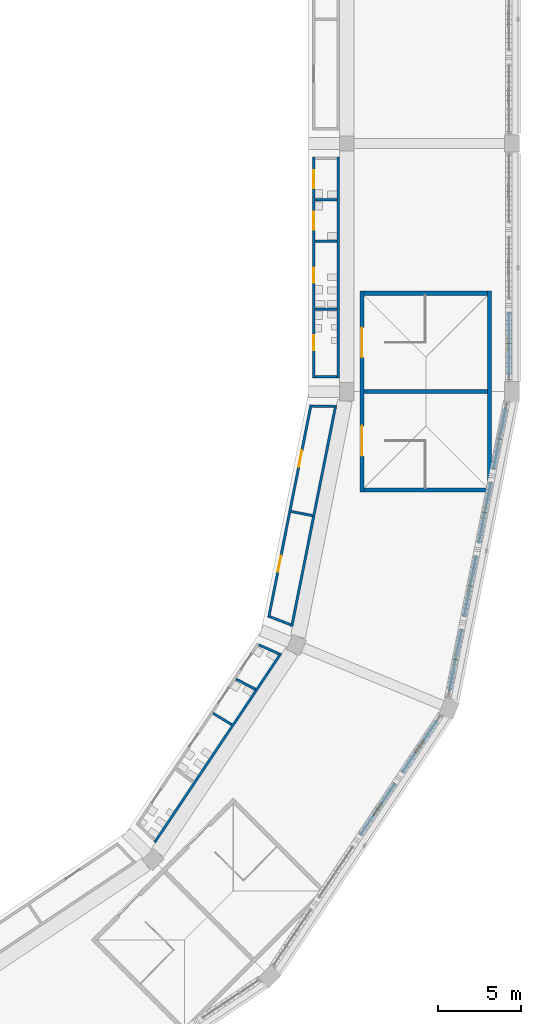
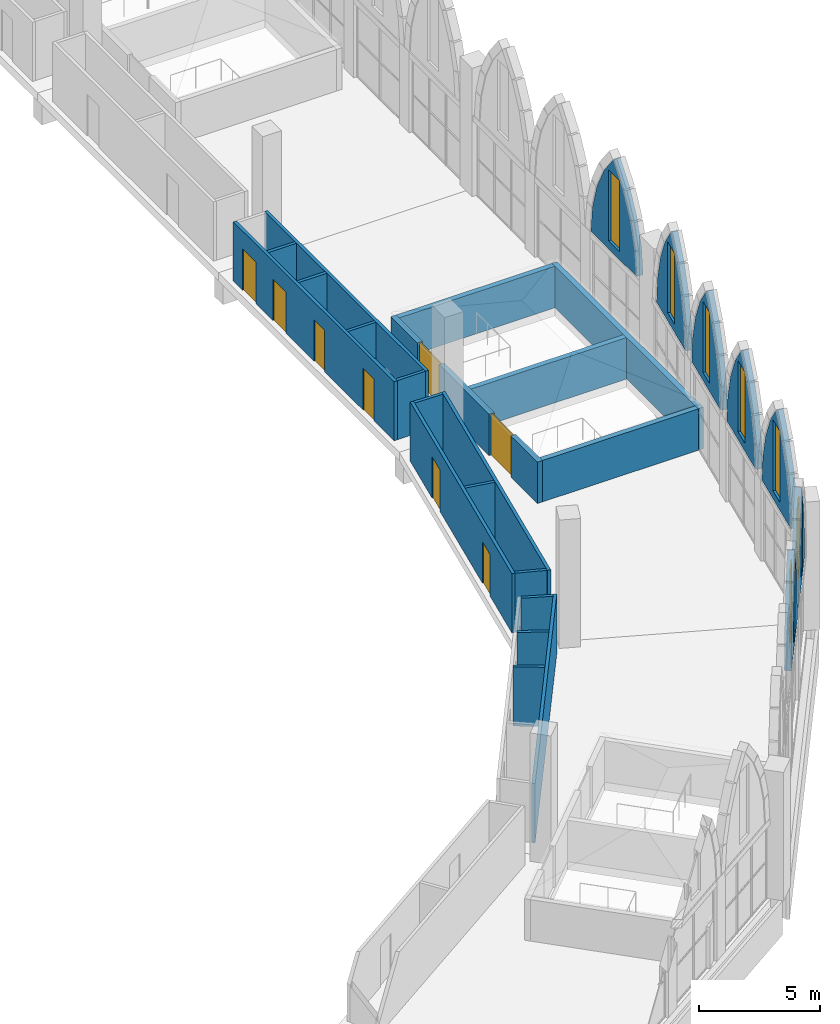
# One storey, part 73 of 130: 27 walls, 8 doors, 7 windows, 15 openings.
"""IFC4 building model written with IfcOpenShell, lengths in metres."""

from ifc_helpers import new_model, si_unit, direction, frame, frame_2d, origin, place, context, subcontext, project, spatial, polyline, rectangle, outline, extrude, material, layer, layer_set, type_object, element, fill, save


model = new_model("IFC4")

# Units and contexts
model_context = context("Model", 3, precision=1e-05, world=origin(), true_north=direction((0.0, 1.0)))
body_context = subcontext(model_context, "Body", "Model", "MODEL_VIEW")
ifc_project = project(units=[si_unit("LENGTHUNIT", "METRE"), si_unit("AREAUNIT", "SQUARE_METRE"), si_unit("VOLUMEUNIT", "CUBIC_METRE"), si_unit("PLANEANGLEUNIT", "RADIAN"), si_unit("MASSUNIT", "GRAM", prefix="KILO")], contexts=[model_context])

# Site, building, storey
site_placement = place(None, origin())
site = spatial("IfcSite", under=ifc_project, at=site_placement, CompositionType="ELEMENT")
building_placement = place(site_placement, origin())
building = spatial("IfcBuilding", under=site, at=building_placement, Name="Ogive Plaza Stadium", CompositionType="ELEMENT")
storey_placement = place(building_placement, frame((0.0, 0.0, 22.5)))
storey = spatial("IfcBuildingStorey", under=building, at=storey_placement, Name="L05", CompositionType="ELEMENT", Elevation=22.5)

# Wall, openings, doors
ifc_material_1 = material(Name="Masonry blockwork", Category="masonry")
ifc_layer_1 = layer(ifc_material_1, 0.14990234375)
ifc_layer_set_1 = layer_set([ifc_layer_1], Name="Blockwork wall 150")
wall_type_1 = type_object("IfcWallType", Name="Blockwork wall 150", PredefinedType="SOLIDWALL", material=ifc_layer_set_1)
wall_1_placement = place(storey_placement, frame((71.84228515625, -53.29345703125, 0.0), z_axis=(0.0, 0.0, 1.0), x_axis=(-0.195095631841, -0.980784224198, 0.0)))
wall_1 = element("IfcWall", 1, at=wall_1_placement, inside=storey, type_object=wall_type_1, Name="Wall L05 B08", PredefinedType="SOLIDWALL", context=body_context, shape_type="SweptSolid", body=[
    extrude(rectangle(XDim=13.11328125, YDim=0.14990234375, at=frame_2d((6.556640625, 0.0))), origin(), (0.0, 0.0, 1.0), 3.0),
])
opening_1_placement = place(wall_1_placement, frame((2.81494140625, 0.0, 0.0)))
opening_1 = element("IfcOpeningElement", 2, at=opening_1_placement, cuts=wall_1, Name="Opening D0939", PredefinedType="OPENING", context=body_context, shape_type="SweptSolid", body=[
    extrude(rectangle(XDim=1.0, YDim=2.10009765625, at=frame_2d((0.5, 1.050048828125))), frame((0.0, 0.074951171875, 0.0), z_axis=(0.0, -1.0, 0.0), x_axis=(1.0, 0.0, 0.0)), (0.0, 0.0, 1.0), 0.14990234375),
])
opening_2_placement = place(wall_1_placement, frame((9.298095703125, 0.0, 0.0)))
opening_2 = element("IfcOpeningElement", 3, at=opening_2_placement, cuts=wall_1, Name="Opening D0940", PredefinedType="OPENING", context=body_context, shape_type="SweptSolid", body=[
    extrude(rectangle(XDim=1.0, YDim=2.10009765625, at=frame_2d((0.5, 1.050048828125))), frame((0.0, 0.074951171875, 0.0), z_axis=(0.0, -1.0, 0.0), x_axis=(1.0, 0.0, 0.0)), (0.0, 0.0, 1.0), 0.14990234375),
])
ifc_material_2 = material(Name="Steel ASTM A572 Grade 50", Category="steel")
door_type_1 = type_object("IfcDoorType", Name="Door 1000 x 2100", OperationType="SINGLE_SWING_LEFT", PredefinedType="DOOR", material=ifc_material_2)
door_1_placement = place(opening_1_placement, origin())
door_1 = element("IfcDoor", 4, at=door_1_placement, inside=storey, type_object=door_type_1, Name="Concession Stand B08 door", OperationType="SINGLE_SWING_LEFT", OverallHeight=2.10009765625, OverallWidth=1.0, PredefinedType="DOOR", context=body_context, shape_type="SweptSolid", body=[
    extrude(rectangle(XDim=1.0, YDim=2.10009765625, at=frame_2d((0.5, 1.050048828125))), frame((0.0, 0.02490234375, 0.0), z_axis=(0.0, -1.0, 0.0), x_axis=(1.0, 0.0, 0.0)), (0.0, 0.0, 1.0), 0.050048828125),
])
fill(opening_1, door_1)
door_2_placement = place(opening_2_placement, origin())
door_2 = element("IfcDoor", 5, at=door_2_placement, inside=storey, type_object=door_type_1, Name="Concession Stand B08 door", OperationType="SINGLE_SWING_RIGHT", OverallHeight=2.10009765625, OverallWidth=1.0, PredefinedType="DOOR", context=body_context, shape_type="SweptSolid", body=[
    extrude(rectangle(XDim=1.0, YDim=2.10009765625, at=frame_2d((0.5, 1.050048828125))), frame((0.0, 0.02490234375, 0.0), z_axis=(0.0, -1.0, 0.0), x_axis=(1.0, 0.0, 0.0)), (0.0, 0.0, 1.0), 0.050048828125),
])
fill(opening_2, door_2)

# Walls
wall_2_placement = place(storey_placement, frame((73.3359375, -53.32470703125, 0.0), z_axis=(0.0, 0.0, 1.0), x_axis=(-0.195086146928, -0.980786110871, 0.0)))
element("IfcWall", 6, at=wall_2_placement, inside=storey, type_object=wall_type_1, Name="Wall L05 B08", PredefinedType="SOLIDWALL", context=body_context, shape_type="SweptSolid", body=[
    extrude(rectangle(XDim=13.630859375, YDim=0.14990234375, at=frame_2d((6.8154296875, 0.0))), origin(), (0.0, 0.0, 1.0), 3.0),
])
wall_3_placement = place(storey_placement, frame((71.902587890625, -53.367431640625, 0.0), z_axis=(0.0, 0.0, 1.0), x_axis=(0.999738070999, -0.022886445666, 0.0)))
element("IfcWall", 7, at=wall_3_placement, inside=storey, type_object=wall_type_1, Name="Wall L05 B08", PredefinedType="SOLIDWALL", context=body_context, shape_type="SweptSolid", body=[
    extrude(rectangle(XDim=1.343994140625, YDim=0.14990234375, at=frame_2d((0.671875, 0.0))), origin(), (0.0, 0.0, 1.0), 3.0),
])
wall_4_placement = place(storey_placement, frame((70.63525390625, -59.73828125, 0.0), z_axis=(0.0, 0.0, 1.0), x_axis=(0.981038980953, -0.193810520485, 0.0)))
element("IfcWall", 8, at=wall_4_placement, inside=storey, type_object=wall_type_1, Name="Wall L05 B08", PredefinedType="SOLIDWALL", context=body_context, shape_type="SweptSolid", body=[
    extrude(rectangle(XDim=1.323974609375, YDim=0.14990234375, at=frame_2d((0.662109375, 0.0))), origin(), (0.0, 0.0, 1.0), 3.0),
])
wall_5_placement = place(storey_placement, frame((69.367919921875, -66.109375, 0.0), z_axis=(0.0, 0.0, 1.0), x_axis=(0.933331557443, -0.359015603953, 0.0)))
element("IfcWall", 9, at=wall_5_placement, inside=storey, type_object=wall_type_1, Name="Wall L05 B08", PredefinedType="SOLIDWALL", context=body_context, shape_type="SweptSolid", body=[
    extrude(rectangle(XDim=1.34375, YDim=0.14990234375, at=frame_2d((0.671875, 0.0))), origin(), (0.0, 0.0, 1.0), 3.0),
])

# Wall, openings, doors
ifc_material_3 = material(Name="Concrete C40/50", Category="concrete")
ifc_layer_2 = layer(ifc_material_3, 0.25)
ifc_layer_set_2 = layer_set([ifc_layer_2], Name="Concrete C40/50")
wall_type_2 = type_object("IfcWallType", Name="Core wall 250", PredefinedType="SHEAR", material=ifc_layer_set_2)
wall_6_placement = place(storey_placement, frame((74.925048828125, -58.574951171875, 0.0), z_axis=(0.0, 0.0, 1.0), x_axis=(0.0, 1.0, 0.0)))
wall_6 = element("IfcWall", 10, at=wall_6_placement, inside=storey, type_object=wall_type_2, Name="Stair core R08 inner wall", PredefinedType="SHEAR", context=body_context, shape_type="SweptSolid", body=[
    extrude(rectangle(XDim=12.14990234375, YDim=0.25, at=frame_2d((6.074951171875, 0.0))), origin(), (0.0, 0.0, 1.0), 2.10009765625),
])
opening_3_placement = place(wall_6_placement, frame((2.199951171875, 0.0, 0.0)))
opening_3 = element("IfcOpeningElement", 11, at=opening_3_placement, cuts=wall_6, Name="Opening D0091", PredefinedType="OPENING", context=body_context, shape_type="SweptSolid", body=[
    extrude(rectangle(XDim=1.800048828125, YDim=2.10009765625, at=frame_2d((0.89990234375, 1.050048828125))), frame((0.0, 0.125, 0.0), z_axis=(0.0, -1.0, 0.0), x_axis=(1.0, 0.0, 0.0)), (0.0, 0.0, 1.0), 0.25),
])
opening_4_placement = place(wall_6_placement, frame((8.14990234375, 0.0, 0.0)))
opening_4 = element("IfcOpeningElement", 12, at=opening_4_placement, cuts=wall_6, Name="Opening D0092", PredefinedType="OPENING", context=body_context, shape_type="SweptSolid", body=[
    extrude(rectangle(XDim=1.800048828125, YDim=2.10009765625, at=frame_2d((0.89990234375, 1.050048828125))), frame((0.0, 0.125, 0.0), z_axis=(0.0, -1.0, 0.0), x_axis=(1.0, 0.0, 0.0)), (0.0, 0.0, 1.0), 0.25),
])
ifc_material_4 = material(Name="Steel ASTM A572 Grade 50", Category="steel")
door_type_2 = type_object("IfcDoorType", Name="Fire door FD90 pair 1800 x 2100", OperationType="DOUBLE_DOOR_SINGLE_SWING", PredefinedType="DOOR", material=ifc_material_4)
door_3_placement = place(opening_3_placement, origin())
door_3 = element("IfcDoor", 13, at=door_3_placement, inside=storey, type_object=door_type_2, Name="Exit stair R08A door L05", OperationType="DOUBLE_DOOR_SINGLE_SWING", OverallHeight=2.10009765625, OverallWidth=1.800048828125, PredefinedType="DOOR", context=body_context, shape_type="SweptSolid", body=[
    extrude(rectangle(XDim=1.800048828125, YDim=2.10009765625, at=frame_2d((0.89990234375, 1.050048828125))), frame((0.0, 0.02490234375, 0.0), z_axis=(0.0, -1.0, 0.0), x_axis=(1.0, 0.0, 0.0)), (0.0, 0.0, 1.0), 0.050048828125),
])
fill(opening_3, door_3)
door_4_placement = place(opening_4_placement, origin())
door_4 = element("IfcDoor", 14, at=door_4_placement, inside=storey, type_object=door_type_2, Name="Exit stair R08B door L05", OperationType="DOUBLE_DOOR_SINGLE_SWING", OverallHeight=2.10009765625, OverallWidth=1.800048828125, PredefinedType="DOOR", context=body_context, shape_type="SweptSolid", body=[
    extrude(rectangle(XDim=1.800048828125, YDim=2.10009765625, at=frame_2d((0.89990234375, 1.050048828125))), frame((0.0, 0.02490234375, 0.0), z_axis=(0.0, -1.0, 0.0), x_axis=(1.0, 0.0, 0.0)), (0.0, 0.0, 1.0), 0.050048828125),
])
fill(opening_4, door_4)

# Walls
wall_7_placement = place(storey_placement, frame((82.635009765625, -58.574951171875, 0.0), z_axis=(0.0, 0.0, 1.0), x_axis=(0.0, 1.0, 0.0)))
element("IfcWall", 15, at=wall_7_placement, inside=storey, type_object=wall_type_2, Name="Stair core R08 outer wall", PredefinedType="SHEAR", context=body_context, shape_type="SweptSolid", body=[
    extrude(rectangle(XDim=12.14990234375, YDim=0.25, at=frame_2d((6.074951171875, 0.0))), origin(), (0.0, 0.0, 1.0), 2.10009765625),
])
for number, where, z_axis, x_axis, name in (
    (16, (75.050048828125, -58.449951171875, 0.0), (0.0, 0.0, 1.0), (1.0, 0.0, 0.0), "Stair core R08 side wall"),
    (17, (75.050048828125, -46.550048828125, 0.0), (0.0, 0.0, 1.0), (1.0, 0.0, 0.0), "Stair core R08 side wall"),
    (18, (75.050048828125, -52.5, 0.0), (0.0, 0.0, 1.0), (1.0, 0.0, 0.0), "Stair core R08 centre wall"),
):
    element("IfcWall", number, at=place(storey_placement, frame(where, z_axis=z_axis, x_axis=x_axis)), inside=storey, type_object=wall_type_2, Name=name, PredefinedType="SHEAR", context=body_context, shape_type="SweptSolid", body=[
        extrude(rectangle(XDim=7.4599609375, YDim=0.25, at=frame_2d((3.72998046875, 0.0))), origin(), (0.0, 0.0, 1.0), 2.10009765625),
    ])

# Wall, openings, doors
ifc_material_5 = material(Name="Gypsum board partition", Category="gypsum")
ifc_layer_3 = layer(ifc_material_5, 0.14990234375)
ifc_layer_set_3 = layer_set([ifc_layer_3], Name="Partition 150")
wall_type_3 = type_object("IfcWallType", Name="Partition 150", PredefinedType="PARTITIONING", material=ifc_layer_set_3)
wall_8_placement = place(storey_placement, frame((72.0, -51.675048828125, 0.0), z_axis=(0.0, 0.0, 1.0), x_axis=(0.0, 1.0, 0.0)))
wall_8 = element("IfcWall", 19, at=wall_8_placement, inside=storey, type_object=wall_type_3, Name="Wall L05 B07", PredefinedType="PARTITIONING", context=body_context, shape_type="SweptSolid", body=[
    extrude(rectangle(XDim=13.35009765625, YDim=0.14990234375, at=frame_2d((6.675048828125, 0.0))), origin(), (0.0, 0.0, 1.0), 3.0),
])
opening_5_placement = place(wall_8_placement, frame((1.6708984375, 0.0, 0.0)))
opening_5 = element("IfcOpeningElement", 20, at=opening_5_placement, cuts=wall_8, Name="Opening D0935", PredefinedType="OPENING", context=body_context, shape_type="SweptSolid", body=[
    extrude(rectangle(XDim=0.89990234375, YDim=2.10009765625, at=frame_2d((0.449951171875, 1.050048828125))), frame((0.0, 0.074951171875, 0.0), z_axis=(0.0, -1.0, 0.0), x_axis=(1.0, 0.0, 0.0)), (0.0, 0.0, 1.0), 0.14990234375),
])
opening_6_placement = place(wall_8_placement, frame((5.762939453125, 0.0, 0.0)))
opening_6 = element("IfcOpeningElement", 21, at=opening_6_placement, cuts=wall_8, Name="Opening D0936", PredefinedType="OPENING", context=body_context, shape_type="SweptSolid", body=[
    extrude(rectangle(XDim=0.89990234375, YDim=2.10009765625, at=frame_2d((0.449951171875, 1.050048828125))), frame((0.0, 0.074951171875, 0.0), z_axis=(0.0, -1.0, 0.0), x_axis=(1.0, 0.0, 0.0)), (0.0, 0.0, 1.0), 0.14990234375),
])
opening_7_placement = place(wall_8_placement, frame((8.962890625, 0.0, 0.0)))
opening_7 = element("IfcOpeningElement", 22, at=opening_7_placement, cuts=wall_8, Name="Opening D0937", PredefinedType="OPENING", context=body_context, shape_type="SweptSolid", body=[
    extrude(rectangle(XDim=1.10009765625, YDim=2.10009765625, at=frame_2d((0.550048828125, 1.050048828125))), frame((0.0, 0.074951171875, 0.0), z_axis=(0.0, -1.0, 0.0), x_axis=(1.0, 0.0, 0.0)), (0.0, 0.0, 1.0), 0.14990234375),
])
opening_8_placement = place(wall_8_placement, frame((11.470947265625, 0.0, 0.0)))
opening_8 = element("IfcOpeningElement", 23, at=opening_8_placement, cuts=wall_8, Name="Opening D0938", PredefinedType="OPENING", context=body_context, shape_type="SweptSolid", body=[
    extrude(rectangle(XDim=1.10009765625, YDim=2.10009765625, at=frame_2d((0.550048828125, 1.050048828125))), frame((0.0, 0.074951171875, 0.0), z_axis=(0.0, -1.0, 0.0), x_axis=(1.0, 0.0, 0.0)), (0.0, 0.0, 1.0), 0.14990234375),
])
ifc_material_6 = material(Name="Steel ASTM A572 Grade 50", Category="steel")
door_type_3 = type_object("IfcDoorType", Name="Accessible door 1100 x 2100", OperationType="SINGLE_SWING_LEFT", PredefinedType="DOOR", material=ifc_material_6)
door_5_placement = place(opening_7_placement, origin())
door_5 = element("IfcDoor", 24, at=door_5_placement, inside=storey, type_object=door_type_3, Name="Accessible WC B07 door", OperationType="SINGLE_SWING_RIGHT", OverallHeight=2.10009765625, OverallWidth=1.10009765625, PredefinedType="DOOR", context=body_context, shape_type="SweptSolid", body=[
    extrude(rectangle(XDim=1.10009765625, YDim=2.10009765625, at=frame_2d((0.550048828125, 1.050048828125))), frame((0.0, 0.02490234375, 0.0), z_axis=(0.0, -1.0, 0.0), x_axis=(1.0, 0.0, 0.0)), (0.0, 0.0, 1.0), 0.050048828125),
])
fill(opening_7, door_5)
door_6_placement = place(opening_8_placement, origin())
door_6 = element("IfcDoor", 25, at=door_6_placement, inside=storey, type_object=door_type_3, Name="Family WC B07 door", OperationType="SINGLE_SWING_LEFT", OverallHeight=2.10009765625, OverallWidth=1.10009765625, PredefinedType="DOOR", context=body_context, shape_type="SweptSolid", body=[
    extrude(rectangle(XDim=1.10009765625, YDim=2.10009765625, at=frame_2d((0.550048828125, 1.050048828125))), frame((0.0, 0.02490234375, 0.0), z_axis=(0.0, -1.0, 0.0), x_axis=(1.0, 0.0, 0.0)), (0.0, 0.0, 1.0), 0.050048828125),
])
fill(opening_8, door_6)
ifc_material_7 = material(Name="Steel ASTM A572 Grade 50", Category="steel")
door_type_4 = type_object("IfcDoorType", Name="Door 900 x 2100", OperationType="SINGLE_SWING_LEFT", PredefinedType="DOOR", material=ifc_material_7)
door_7_placement = place(opening_5_placement, origin())
door_7 = element("IfcDoor", 26, at=door_7_placement, inside=storey, type_object=door_type_4, Name="Men's Toilet B07 door", OperationType="SINGLE_SWING_RIGHT", OverallHeight=2.10009765625, OverallWidth=0.89990234375, PredefinedType="DOOR", context=body_context, shape_type="SweptSolid", body=[
    extrude(rectangle(XDim=0.89990234375, YDim=2.10009765625, at=frame_2d((0.449951171875, 1.050048828125))), frame((0.0, 0.02490234375, 0.0), z_axis=(0.0, -1.0, 0.0), x_axis=(1.0, 0.0, 0.0)), (0.0, 0.0, 1.0), 0.050048828125),
])
fill(opening_5, door_7)
door_8_placement = place(opening_6_placement, origin())
door_8 = element("IfcDoor", 27, at=door_8_placement, inside=storey, type_object=door_type_4, Name="Women's Toilet B07 door", OperationType="SINGLE_SWING_LEFT", OverallHeight=2.10009765625, OverallWidth=0.89990234375, PredefinedType="DOOR", context=body_context, shape_type="SweptSolid", body=[
    extrude(rectangle(XDim=0.89990234375, YDim=2.10009765625, at=frame_2d((0.449951171875, 1.050048828125))), frame((0.0, 0.02490234375, 0.0), z_axis=(0.0, -1.0, 0.0), x_axis=(1.0, 0.0, 0.0)), (0.0, 0.0, 1.0), 0.050048828125),
])
fill(opening_6, door_8)

# Walls
wall_9_placement = place(storey_placement, frame((73.5, -51.675048828125, 0.0), z_axis=(0.0, 0.0, 1.0), x_axis=(0.0, 1.0, 0.0)))
element("IfcWall", 28, at=wall_9_placement, inside=storey, type_object=wall_type_3, Name="Wall L05 B07", PredefinedType="PARTITIONING", context=body_context, shape_type="SweptSolid", body=[
    extrude(rectangle(XDim=13.35009765625, YDim=0.14990234375, at=frame_2d((6.675048828125, 0.0))), origin(), (0.0, 0.0, 1.0), 3.0),
])
for number, where, z_axis, x_axis, name in (
    (29, (72.074951171875, -51.60009765625, 0.0), (0.0, 0.0, 1.0), (1.0, 0.0, 0.0), "Wall L05 B07"),
    (30, (72.074951171875, -47.508056640625, 0.0), (0.0, 0.0, 1.0), (1.0, 0.0, 0.0), "Wall L05 B07"),
    (31, (72.074951171875, -43.416015625, 0.0), (0.0, 0.0, 1.0), (1.0, 0.0, 0.0), "Wall L05 B07"),
    (32, (72.074951171875, -40.907958984375, 0.0), (0.0, 0.0, 1.0), (1.0, 0.0, 0.0), "Wall L05 B07"),
):
    element("IfcWall", number, at=place(storey_placement, frame(where, z_axis=z_axis, x_axis=x_axis)), inside=storey, type_object=wall_type_3, Name=name, PredefinedType="PARTITIONING", context=body_context, shape_type="SweptSolid", body=[
        extrude(rectangle(XDim=1.35009765625, YDim=0.14990234375, at=frame_2d((0.675048828125, 0.0))), origin(), (0.0, 0.0, 1.0), 3.0),
    ])
wall_10_placement = place(storey_placement, frame((62.39794921875, -79.7314453125, 0.0), z_axis=(0.0, 0.0, 1.0), x_axis=(0.555573905052, 0.831467158717, 0.0)))
element("IfcWall", 33, at=wall_10_placement, inside=storey, type_object=wall_type_3, Name="Wall L05 B09", PredefinedType="PARTITIONING", context=body_context, shape_type="SweptSolid", body=[
    extrude(rectangle(XDim=13.730224609375, YDim=0.14990234375, at=frame_2d((6.865234375, 0.0))), origin(), (0.0, 0.0, 1.0), 3.0),
])
wall_11_placement = place(storey_placement, frame((65.92236328125, -71.941162109375, 0.0), z_axis=(0.0, 0.0, 1.0), x_axis=(0.854109602484, -0.520093056043, 0.0)))
element("IfcWall", 34, at=wall_11_placement, inside=storey, type_object=wall_type_3, Name="Wall L05 B09", PredefinedType="PARTITIONING", context=body_context, shape_type="SweptSolid", body=[
    extrude(rectangle(XDim=1.3251953125, YDim=0.14990234375, at=frame_2d((0.66259765625, 0.0))), origin(), (0.0, 0.0, 1.0), 3.0),
])
wall_12_placement = place(storey_placement, frame((67.303955078125, -69.87353515625, 0.0), z_axis=(0.0, 0.0, 1.0), x_axis=(0.886633867097, -0.462472037768, 0.0)))
element("IfcWall", 35, at=wall_12_placement, inside=storey, type_object=wall_type_3, Name="Wall L05 B09", PredefinedType="PARTITIONING", context=body_context, shape_type="SweptSolid", body=[
    extrude(rectangle(XDim=1.331787109375, YDim=0.14990234375, at=frame_2d((0.666015625, 0.0))), origin(), (0.0, 0.0, 1.0), 3.0),
])
wall_13_placement = place(storey_placement, frame((68.685302734375, -67.805908203125, 0.0), z_axis=(0.0, 0.0, 1.0), x_axis=(0.914894130368, -0.403693857048, 0.0)))
element("IfcWall", 36, at=wall_13_placement, inside=storey, type_object=wall_type_3, Name="Wall L05 B09", PredefinedType="PARTITIONING", context=body_context, shape_type="SweptSolid", body=[
    extrude(rectangle(XDim=1.344482421875, YDim=0.14990234375, at=frame_2d((0.67236328125, 0.0))), origin(), (0.0, 0.0, 1.0), 3.0),
])

# Wall, opening, window
ifc_material_8 = material(Name="Concrete C45/55 precast", Category="concrete")
ifc_layer_4 = layer(ifc_material_8, 0.25)
ifc_material_9 = material(Name="Cast stone (reconstituted limestone)", Category="masonry")
ifc_layer_5 = layer(ifc_material_9, 0.050048828125)
ifc_layer_set_4 = layer_set([ifc_layer_4, ifc_layer_5], Name="Concrete C45/55 precast, cast stone facing")
wall_type_4 = type_object("IfcWallType", Name="Tympanum wall 300", PredefinedType="SOLIDWALL", material=ifc_layer_set_4)
wall_14_placement = place(storey_placement, frame((83.800048828125, -47.699951171875, 4.10009765625), z_axis=(0.0, 0.0, 1.0), x_axis=(0.0, -1.0, 0.0)))
wall_14 = element("IfcWall", 37, at=wall_14_placement, inside=storey, type_object=wall_type_4, Name="TYMPANUM B07 3", PredefinedType="SOLIDWALL", context=body_context, shape_type="SweptSolid", body=[
    extrude(outline(polyline([(0.0, 0.0), (3.800048828125, 0.0), (3.800048828125, 0.0498046875), (3.67578125, 1.313720703125), (3.3076171875, 2.5810546875), (2.708740234375, 3.757080078125), (1.89990234375, 4.7998046875), (1.09130859375, 3.757080078125), (0.4921875, 2.5810546875), (0.124267578125, 1.313720703125), (0.0, 0.0498046875), (0.0, 0.0)])), frame((0.0, 0.14990234375, 0.0), z_axis=(0.0, -1.0, 0.0), x_axis=(1.0, 0.0, 0.0)), (0.0, 0.0, 1.0), 0.300048828125),
])
opening_9_placement = place(wall_14_placement, frame((1.449951171875, 0.0, 0.39990234375)))
opening_9 = element("IfcOpeningElement", 38, at=opening_9_placement, cuts=wall_14, Name="Opening W-07-3", PredefinedType="OPENING", context=body_context, shape_type="SweptSolid", body=[
    extrude(rectangle(XDim=0.89990234375, YDim=3.60009765625, at=frame_2d((0.449951171875, 1.800048828125))), frame((0.0, 0.16015625, 0.0), z_axis=(0.0, -1.0, 0.0), x_axis=(1.0, 0.0, 0.0)), (0.0, 0.0, 1.0), 0.320068359375),
])
ifc_material_10 = material(Name="Bronze-anodised aluminium and laminated glass", Category="aluminium")
window_type = type_object("IfcWindowType", Name="Lancet window 900 x 3600", PartitioningType="SINGLE_PANEL", PredefinedType="WINDOW", material=ifc_material_10)
window_1_placement = place(opening_9_placement, origin())
window_1 = element("IfcWindow", 39, at=window_1_placement, inside=storey, type_object=window_type, Name="LANCET WINDOW B07 3", OverallHeight=3.60009765625, OverallWidth=0.89990234375, PartitioningType="SINGLE_PANEL", PredefinedType="WINDOW", context=body_context, shape_type="SweptSolid", body=[
    extrude(rectangle(XDim=0.89990234375, YDim=3.60009765625, at=frame_2d((0.449951171875, 1.800048828125))), frame((0.0, 0.030029296875, 0.0), z_axis=(0.0, -1.0, 0.0), x_axis=(1.0, 0.0, 0.0)), (0.0, 0.0, 1.0), 0.06005859375),
])
fill(opening_9, window_1)

wall_15_placement = place(storey_placement, frame((83.5908203125, -53.53125, 4.10009765625), z_axis=(0.0, 0.0, 1.0), x_axis=(-0.195033975516, -0.980796486736, 0.0)))
wall_15 = element("IfcWall", 40, at=wall_15_placement, inside=storey, type_object=wall_type_4, Name="TYMPANUM B08 1", PredefinedType="SOLIDWALL", context=body_context, shape_type="SweptSolid", body=[
    extrude(outline(polyline([(0.0, 0.0), (3.731689453125, 0.0), (3.731689453125, 0.0498046875), (3.60986328125, 1.309814453125), (3.248779296875, 2.574951171875), (2.66064453125, 3.751708984375), (1.86572265625, 4.7998046875), (1.07080078125, 3.751708984375), (0.48291015625, 2.574951171875), (0.121826171875, 1.309814453125), (0.0, 0.0498046875), (0.0, 0.0)])), frame((0.0, 0.14990234375, 0.0), z_axis=(0.0, -1.0, 0.0), x_axis=(1.0, 0.0, 0.0)), (0.0, 0.0, 1.0), 0.300048828125),
])
opening_10_placement = place(wall_15_placement, frame((1.415771484375, 0.0, 0.39990234375)))
opening_10 = element("IfcOpeningElement", 41, at=opening_10_placement, cuts=wall_15, Name="Opening W-08-1", PredefinedType="OPENING", context=body_context, shape_type="SweptSolid", body=[
    extrude(rectangle(XDim=0.89990234375, YDim=3.60009765625, at=frame_2d((0.449951171875, 1.800048828125))), frame((0.0, 0.16015625, 0.0), z_axis=(0.0, -1.0, 0.0), x_axis=(1.0, 0.0, 0.0)), (0.0, 0.0, 1.0), 0.320068359375),
])
window_2_placement = place(opening_10_placement, origin())
window_2 = element("IfcWindow", 42, at=window_2_placement, inside=storey, type_object=window_type, Name="LANCET WINDOW B08 1", OverallHeight=3.60009765625, OverallWidth=0.89990234375, PartitioningType="SINGLE_PANEL", PredefinedType="WINDOW", context=body_context, shape_type="SweptSolid", body=[
    extrude(rectangle(XDim=0.89990234375, YDim=3.60009765625, at=frame_2d((0.449951171875, 1.800048828125))), frame((0.0, 0.030029296875, 0.0), z_axis=(0.0, -1.0, 0.0), x_axis=(1.0, 0.0, 0.0)), (0.0, 0.0, 1.0), 0.06005859375),
])
fill(opening_10, window_2)

wall_16_placement = place(storey_placement, frame((82.706787109375, -57.975830078125, 4.10009765625), z_axis=(0.0, 0.0, 1.0), x_axis=(-0.19509691132, -0.980783969686, 0.0)))
wall_16 = element("IfcWall", 43, at=wall_16_placement, inside=storey, type_object=wall_type_4, Name="TYMPANUM B08 2", PredefinedType="SOLIDWALL", context=body_context, shape_type="SweptSolid", body=[
    extrude(outline(polyline([(0.0, 0.0), (3.731689453125, 0.0), (3.731689453125, 0.0498046875), (3.60986328125, 1.309814453125), (3.248779296875, 2.574951171875), (2.66064453125, 3.751708984375), (1.86572265625, 4.7998046875), (1.07080078125, 3.751708984375), (0.48291015625, 2.574951171875), (0.121826171875, 1.309814453125), (0.0, 0.0498046875), (0.0, 0.0)])), frame((0.0, 0.14990234375, 0.0), z_axis=(0.0, -1.0, 0.0), x_axis=(1.0, 0.0, 0.0)), (0.0, 0.0, 1.0), 0.300048828125),
])
opening_11_placement = place(wall_16_placement, frame((1.415771484375, 0.0, 0.39990234375)))
opening_11 = element("IfcOpeningElement", 44, at=opening_11_placement, cuts=wall_16, Name="Opening W-08-2", PredefinedType="OPENING", context=body_context, shape_type="SweptSolid", body=[
    extrude(rectangle(XDim=0.89990234375, YDim=3.60009765625, at=frame_2d((0.449951171875, 1.800048828125))), frame((0.0, 0.16015625, 0.0), z_axis=(0.0, -1.0, 0.0), x_axis=(1.0, 0.0, 0.0)), (0.0, 0.0, 1.0), 0.320068359375),
])
window_3_placement = place(opening_11_placement, origin())
window_3 = element("IfcWindow", 45, at=window_3_placement, inside=storey, type_object=window_type, Name="LANCET WINDOW B08 2", OverallHeight=3.60009765625, OverallWidth=0.89990234375, PartitioningType="SINGLE_PANEL", PredefinedType="WINDOW", context=body_context, shape_type="SweptSolid", body=[
    extrude(rectangle(XDim=0.89990234375, YDim=3.60009765625, at=frame_2d((0.449951171875, 1.800048828125))), frame((0.0, 0.030029296875, 0.0), z_axis=(0.0, -1.0, 0.0), x_axis=(1.0, 0.0, 0.0)), (0.0, 0.0, 1.0), 0.06005859375),
])
fill(opening_11, window_3)

wall_17_placement = place(storey_placement, frame((81.82275390625, -62.42041015625, 4.10009765625), z_axis=(0.0, 0.0, 1.0), x_axis=(-0.19509691132, -0.980783969686, 0.0)))
wall_17 = element("IfcWall", 46, at=wall_17_placement, inside=storey, type_object=wall_type_4, Name="TYMPANUM B08 3", PredefinedType="SOLIDWALL", context=body_context, shape_type="SweptSolid", body=[
    extrude(outline(polyline([(0.0, 0.0), (3.731689453125, 0.0), (3.731689453125, 0.0498046875), (3.60986328125, 1.309814453125), (3.248779296875, 2.574951171875), (2.66064453125, 3.751708984375), (1.86572265625, 4.7998046875), (1.07080078125, 3.751708984375), (0.48291015625, 2.574951171875), (0.121826171875, 1.309814453125), (0.0, 0.0498046875), (0.0, 0.0)])), frame((0.0, 0.14990234375, 0.0), z_axis=(0.0, -1.0, 0.0), x_axis=(1.0, 0.0, 0.0)), (0.0, 0.0, 1.0), 0.300048828125),
])
opening_12_placement = place(wall_17_placement, frame((1.415771484375, 0.0, 0.39990234375)))
opening_12 = element("IfcOpeningElement", 47, at=opening_12_placement, cuts=wall_17, Name="Opening W-08-3", PredefinedType="OPENING", context=body_context, shape_type="SweptSolid", body=[
    extrude(rectangle(XDim=0.89990234375, YDim=3.60009765625, at=frame_2d((0.449951171875, 1.800048828125))), frame((0.0, 0.16015625, 0.0), z_axis=(0.0, -1.0, 0.0), x_axis=(1.0, 0.0, 0.0)), (0.0, 0.0, 1.0), 0.320068359375),
])
window_4_placement = place(opening_12_placement, origin())
window_4 = element("IfcWindow", 48, at=window_4_placement, inside=storey, type_object=window_type, Name="LANCET WINDOW B08 3", OverallHeight=3.60009765625, OverallWidth=0.89990234375, PartitioningType="SINGLE_PANEL", PredefinedType="WINDOW", context=body_context, shape_type="SweptSolid", body=[
    extrude(rectangle(XDim=0.89990234375, YDim=3.60009765625, at=frame_2d((0.449951171875, 1.800048828125))), frame((0.0, 0.030029296875, 0.0), z_axis=(0.0, -1.0, 0.0), x_axis=(1.0, 0.0, 0.0)), (0.0, 0.0, 1.0), 0.06005859375),
])
fill(opening_12, window_4)

wall_18_placement = place(storey_placement, frame((80.938720703125, -66.864990234375, 4.10009765625), z_axis=(0.0, 0.0, 1.0), x_axis=(-0.19509691132, -0.980783969686, 0.0)))
wall_18 = element("IfcWall", 49, at=wall_18_placement, inside=storey, type_object=wall_type_4, Name="TYMPANUM B08 4", PredefinedType="SOLIDWALL", context=body_context, shape_type="SweptSolid", body=[
    extrude(outline(polyline([(0.0, 0.0), (3.731689453125, 0.0), (3.731689453125, 0.0498046875), (3.60986328125, 1.309814453125), (3.248779296875, 2.574951171875), (2.66064453125, 3.751708984375), (1.86572265625, 4.7998046875), (1.07080078125, 3.751708984375), (0.48291015625, 2.574951171875), (0.121826171875, 1.309814453125), (0.0, 0.0498046875), (0.0, 0.0)])), frame((0.0, 0.14990234375, 0.0), z_axis=(0.0, -1.0, 0.0), x_axis=(1.0, 0.0, 0.0)), (0.0, 0.0, 1.0), 0.300048828125),
])
opening_13_placement = place(wall_18_placement, frame((1.415771484375, 0.0, 0.39990234375)))
opening_13 = element("IfcOpeningElement", 50, at=opening_13_placement, cuts=wall_18, Name="Opening W-08-4", PredefinedType="OPENING", context=body_context, shape_type="SweptSolid", body=[
    extrude(rectangle(XDim=0.89990234375, YDim=3.60009765625, at=frame_2d((0.449951171875, 1.800048828125))), frame((0.0, 0.16015625, 0.0), z_axis=(0.0, -1.0, 0.0), x_axis=(1.0, 0.0, 0.0)), (0.0, 0.0, 1.0), 0.320068359375),
])
window_5_placement = place(opening_13_placement, origin())
window_5 = element("IfcWindow", 51, at=window_5_placement, inside=storey, type_object=window_type, Name="LANCET WINDOW B08 4", OverallHeight=3.60009765625, OverallWidth=0.89990234375, PartitioningType="SINGLE_PANEL", PredefinedType="WINDOW", context=body_context, shape_type="SweptSolid", body=[
    extrude(rectangle(XDim=0.89990234375, YDim=3.60009765625, at=frame_2d((0.449951171875, 1.800048828125))), frame((0.0, 0.030029296875, 0.0), z_axis=(0.0, -1.0, 0.0), x_axis=(1.0, 0.0, 0.0)), (0.0, 0.0, 1.0), 0.06005859375),
])
fill(opening_13, window_5)

wall_19_placement = place(storey_placement, frame((79.44970703125, -72.38818359375, 4.10009765625), z_axis=(0.0, 0.0, 1.0), x_axis=(-0.555599628384, -0.831449970196, 0.0)))
wall_19 = element("IfcWall", 52, at=wall_19_placement, inside=storey, type_object=wall_type_4, Name="TYMPANUM B09 1", PredefinedType="SOLIDWALL", context=body_context, shape_type="SweptSolid", body=[
    extrude(outline(polyline([(0.0, 0.0), (3.757080078125, 0.0), (3.757080078125, 0.0498046875), (3.634521484375, 1.311279296875), (3.270751953125, 2.5771484375), (2.678466796875, 3.753662109375), (1.878662109375, 4.7998046875), (1.07861328125, 3.753662109375), (0.486328125, 2.5771484375), (0.12255859375, 1.311279296875), (0.0, 0.0498046875), (0.0, 0.0)])), frame((0.0, 0.14990234375, 0.0), z_axis=(0.0, -1.0, 0.0), x_axis=(1.0, 0.0, 0.0)), (0.0, 0.0, 1.0), 0.300048828125),
])
opening_14_placement = place(wall_19_placement, frame((1.428466796875, 0.0, 0.39990234375)))
opening_14 = element("IfcOpeningElement", 53, at=opening_14_placement, cuts=wall_19, Name="Opening W-09-1", PredefinedType="OPENING", context=body_context, shape_type="SweptSolid", body=[
    extrude(rectangle(XDim=0.89990234375, YDim=3.60009765625, at=frame_2d((0.449951171875, 1.800048828125))), frame((0.0, 0.16015625, 0.0), z_axis=(0.0, -1.0, 0.0), x_axis=(1.0, 0.0, 0.0)), (0.0, 0.0, 1.0), 0.320068359375),
])
window_6_placement = place(opening_14_placement, origin())
window_6 = element("IfcWindow", 54, at=window_6_placement, inside=storey, type_object=window_type, Name="LANCET WINDOW B09 1", OverallHeight=3.60009765625, OverallWidth=0.89990234375, PartitioningType="SINGLE_PANEL", PredefinedType="WINDOW", context=body_context, shape_type="SweptSolid", body=[
    extrude(rectangle(XDim=0.89990234375, YDim=3.60009765625, at=frame_2d((0.449951171875, 1.800048828125))), frame((0.0, 0.030029296875, 0.0), z_axis=(0.0, -1.0, 0.0), x_axis=(1.0, 0.0, 0.0)), (0.0, 0.0, 1.0), 0.06005859375),
])
fill(opening_14, window_6)

wall_20_placement = place(storey_placement, frame((76.91796875, -76.17724609375, 4.10009765625), z_axis=(0.0, 0.0, 1.0), x_axis=(-0.555599628384, -0.831449970196, 0.0)))
wall_20 = element("IfcWall", 55, at=wall_20_placement, inside=storey, type_object=wall_type_4, Name="TYMPANUM B09 2", PredefinedType="SOLIDWALL", context=body_context, shape_type="SweptSolid", body=[
    extrude(outline(polyline([(0.0, 0.0), (3.757080078125, 0.0), (3.757080078125, 0.0498046875), (3.634521484375, 1.311279296875), (3.270751953125, 2.5771484375), (2.678466796875, 3.753662109375), (1.878662109375, 4.7998046875), (1.07861328125, 3.753662109375), (0.486328125, 2.5771484375), (0.12255859375, 1.311279296875), (0.0, 0.0498046875), (0.0, 0.0)])), frame((0.0, 0.14990234375, 0.0), z_axis=(0.0, -1.0, 0.0), x_axis=(1.0, 0.0, 0.0)), (0.0, 0.0, 1.0), 0.300048828125),
])
opening_15_placement = place(wall_20_placement, frame((1.428466796875, 0.0, 0.39990234375)))
opening_15 = element("IfcOpeningElement", 56, at=opening_15_placement, cuts=wall_20, Name="Opening W-09-2", PredefinedType="OPENING", context=body_context, shape_type="SweptSolid", body=[
    extrude(rectangle(XDim=0.89990234375, YDim=3.60009765625, at=frame_2d((0.449951171875, 1.800048828125))), frame((0.0, 0.16015625, 0.0), z_axis=(0.0, -1.0, 0.0), x_axis=(1.0, 0.0, 0.0)), (0.0, 0.0, 1.0), 0.320068359375),
])
window_7_placement = place(opening_15_placement, origin())
window_7 = element("IfcWindow", 57, at=window_7_placement, inside=storey, type_object=window_type, Name="LANCET WINDOW B09 2", OverallHeight=3.60009765625, OverallWidth=0.89990234375, PartitioningType="SINGLE_PANEL", PredefinedType="WINDOW", context=body_context, shape_type="SweptSolid", body=[
    extrude(rectangle(XDim=0.89990234375, YDim=3.60009765625, at=frame_2d((0.449951171875, 1.800048828125))), frame((0.0, 0.030029296875, 0.0), z_axis=(0.0, -1.0, 0.0), x_axis=(1.0, 0.0, 0.0)), (0.0, 0.0, 1.0), 0.06005859375),
])
fill(opening_15, window_7)

save(model, "model.ifc")
